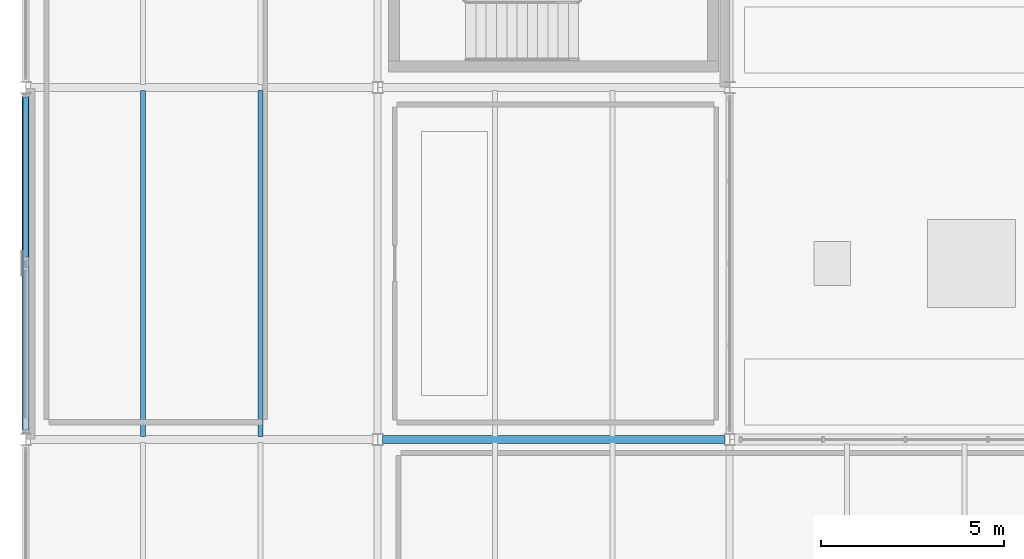
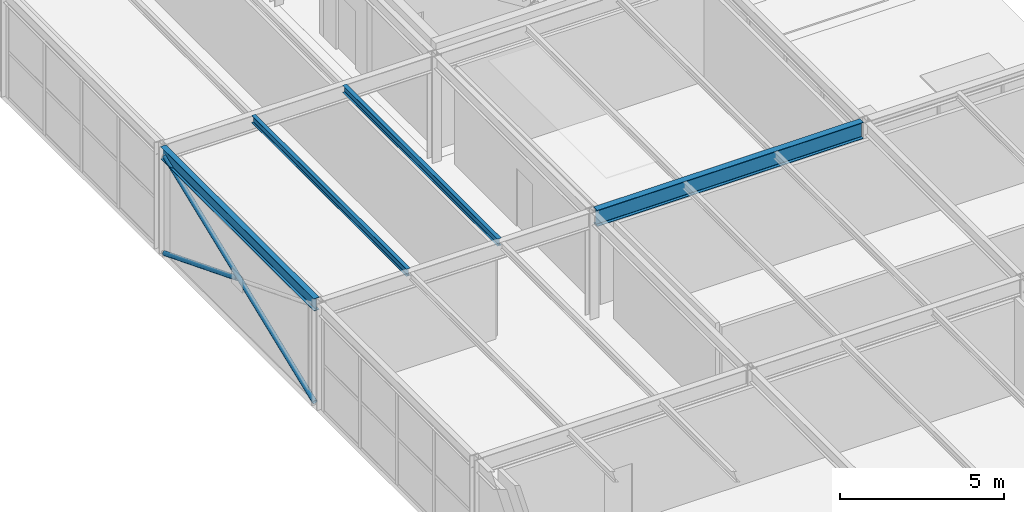
# One storey, part 13 of 50: 4 beams, 2 members.
"""IFC4 building model written with IfcOpenShell, lengths in metres."""

from ifc_helpers import new_model, si_unit, direction, frame, origin, origin_2d, place, context, subcontext, project, spatial, hollow_circle, i_section, extrude, material, material_profile, profile_set, type_object, element, save


model = new_model("IFC4")

# Units and contexts
model_context = context("Model", 3, precision=1e-05, world=origin(), true_north=direction((0.0, 1.0)))
body_context = subcontext(model_context, "Body", "Model", "MODEL_VIEW")
ifc_project = project(units=[si_unit("LENGTHUNIT", "METRE"), si_unit("AREAUNIT", "SQUARE_METRE"), si_unit("VOLUMEUNIT", "CUBIC_METRE"), si_unit("PLANEANGLEUNIT", "RADIAN"), si_unit("MASSUNIT", "GRAM", prefix="KILO")], contexts=[model_context])

# Site, building, storey
site_placement = place(None, origin())
site = spatial("IfcSite", under=ifc_project, at=site_placement, CompositionType="ELEMENT")
building_placement = place(site_placement, origin())
building = spatial("IfcBuilding", under=site, at=building_placement, Name="Coralgate Yard Interchange", CompositionType="ELEMENT")
storey_placement = place(building_placement, frame((0.0, 0.0, 14.699951171875)))
storey = spatial("IfcBuildingStorey", under=building, at=storey_placement, Name="L03", CompositionType="ELEMENT", Elevation=14.699951171875)

# Beams
ifc_material = material(Name="Structural steel S355J2", Category="steel")
ifc_material_profile_1 = material_profile(ifc_material, i_section(OverallWidth=0.1904296875, OverallDepth=0.45703125, WebThickness=0.009033203125, FlangeThickness=0.014404296875, FilletRadius=0.01025390625, at=origin_2d()), Name="UB 457x191x74")
ifc_profile_set_1 = profile_set([ifc_material_profile_1], Name="Structural steel S355J2")
beam_type_1 = type_object("IfcBeamType", Name="BM-SB-2", PredefinedType="BEAM", material=ifc_profile_set_1)
beam_1_placement = place(storey_placement, frame((0.0, 19.33349609375, 3.721435546875), z_axis=(0.0, 1.0, 0.0), x_axis=(-1.0, 0.0, 0.0)))
element("IfcBeam", 1, at=beam_1_placement, inside=storey, type_object=beam_type_1, Name="L03 primary grid girder X0 Y2-3", PredefinedType="BEAM", context=body_context, shape_type="SweptSolid", body=[
    extrude(i_section(OverallWidth=0.1904296875, OverallDepth=0.45703125, WebThickness=0.009033203125, FlangeThickness=0.014404296875, FilletRadius=0.01025390625, at=origin_2d()), origin(), (0.0, 0.0, 1.0), 9.3330078125),
])
ifc_material_profile_2 = material_profile(ifc_material, i_section(OverallWidth=0.228271484375, OverallDepth=0.607666015625, WebThickness=0.010986328125, FlangeThickness=0.017333984375, FilletRadius=0.0126953125, at=origin_2d()), Name="UB 610x229x113")
ifc_profile_set_2 = profile_set([ifc_material_profile_2], Name="Structural steel S355J2")
beam_type_2 = type_object("IfcBeamType", Name="BM-SG-5", PredefinedType="BEAM", material=ifc_profile_set_2)
beam_2_placement = place(storey_placement, frame((9.7255859375, 19.199951171875, 3.646240234375), z_axis=(1.0, 0.0, 0.0), x_axis=(0.0, 1.0, 0.0)))
element("IfcBeam", 2, at=beam_2_placement, inside=storey, type_object=beam_type_2, Name="L03 primary grid beam Y2 X1-2", PredefinedType="BEAM", context=body_context, shape_type="SweptSolid", body=[
    extrude(i_section(OverallWidth=0.228271484375, OverallDepth=0.607666015625, WebThickness=0.010986328125, FlangeThickness=0.017333984375, FilletRadius=0.0126953125, at=origin_2d()), origin(), (0.0, 0.0, 1.0), 9.348876953125),
])
ifc_material_profile_3 = material_profile(ifc_material, i_section(OverallWidth=0.135009765625, OverallDepth=0.27001953125, WebThickness=0.006591796875, FlangeThickness=0.01025390625, FilletRadius=0.014892578125, at=origin_2d()), Name="IPE 270")
ifc_profile_set_3 = profile_set([ifc_material_profile_3], Name="Structural steel S355J2")
beam_type_3 = type_object("IfcBeamType", Name="BM-SJ-3", PredefinedType="JOIST", material=ifc_profile_set_3)
for number, where, z_axis, x_axis, name in (
    (3, (3.199951171875, 19.2841796875, 3.81494140625), (0.0, 1.0, 0.0), (-1.0, 0.0, 0.0), "L03 composite floor joist 0-2-1"),
    (4, (6.39990234375, 19.2841796875, 3.81494140625), (0.0, 1.0, 0.0), (-1.0, 0.0, 0.0), "L03 composite floor joist 0-2-2"),
):
    element("IfcBeam", number, at=place(storey_placement, frame(where, z_axis=z_axis, x_axis=x_axis)), inside=storey, type_object=beam_type_3, Name=name, PredefinedType="JOIST", context=body_context, shape_type="SweptSolid", body=[
        extrude(i_section(OverallWidth=0.135009765625, OverallDepth=0.27001953125, WebThickness=0.006591796875, FlangeThickness=0.01025390625, FilletRadius=0.014892578125, at=origin_2d()), origin(), (0.0, 0.0, 1.0), 9.431640625),
    ])

# Members
ifc_material_profile_4 = material_profile(ifc_material, hollow_circle(Radius=0.084228515625, WallThickness=0.008056640625, at=origin_2d()), Name="CHS 168.3x8")
ifc_profile_set_4 = profile_set([ifc_material_profile_4], Name="Structural steel S355J2")
member_type = type_object("IfcMemberType", Name="MB-BR-2", PredefinedType="BRACE", material=ifc_profile_set_4)
member_1_placement = place(storey_placement, frame((0.0, 19.43994140625, 0.02001953125), z_axis=(0.0, 0.929804483599, 0.368053830682), x_axis=(-1.0, 0.0, 0.0)))
element("IfcMember", 5, at=member_1_placement, inside=storey, type_object=member_type, Name="L03 continuous concentric X-brace W-A", PredefinedType="BRACE", context=body_context, shape_type="SweptSolid", body=[
    extrude(hollow_circle(Radius=0.084228515625, WallThickness=0.008056640625, at=origin_2d()), origin(), (0.0, 0.0, 1.0), 9.80859375),
])
member_2_placement = place(storey_placement, frame((0.0, 28.56005859375, 0.02001953125), z_axis=(0.0, -0.929804046938, 0.368054933804), x_axis=(1.0, 0.0, 0.0)))
element("IfcMember", 6, at=member_2_placement, inside=storey, type_object=member_type, Name="L03 split concentric X-brace W-B1", PredefinedType="BRACE", context=body_context, shape_type="SweptSolid", body=[
    extrude(hollow_circle(Radius=0.084228515625, WallThickness=0.008056640625, at=origin_2d()), origin(), (0.0, 0.0, 1.0), 4.748046875),
])

save(model, "model.ifc")
